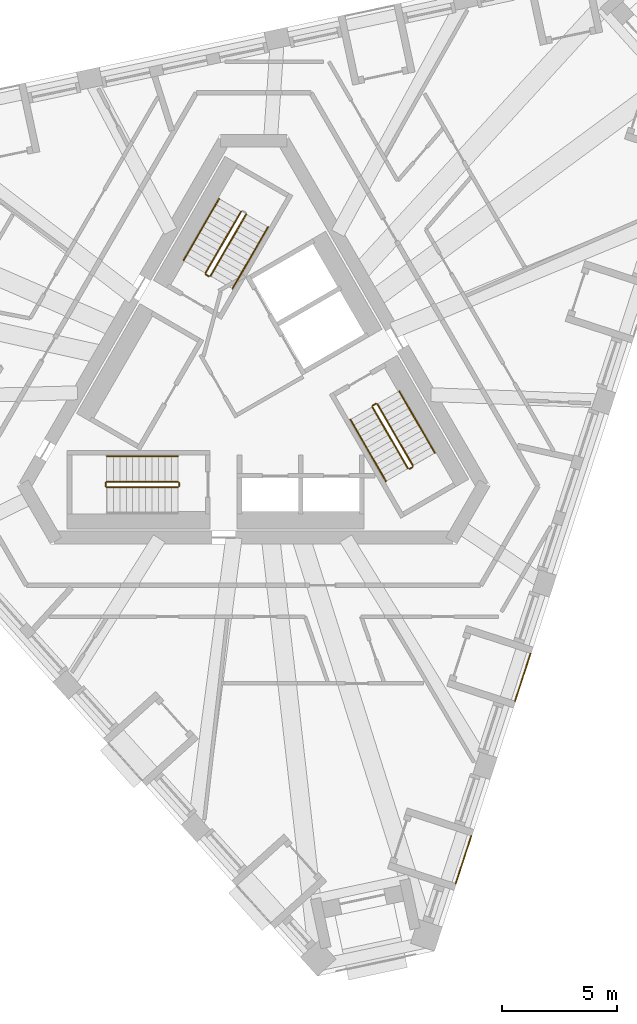
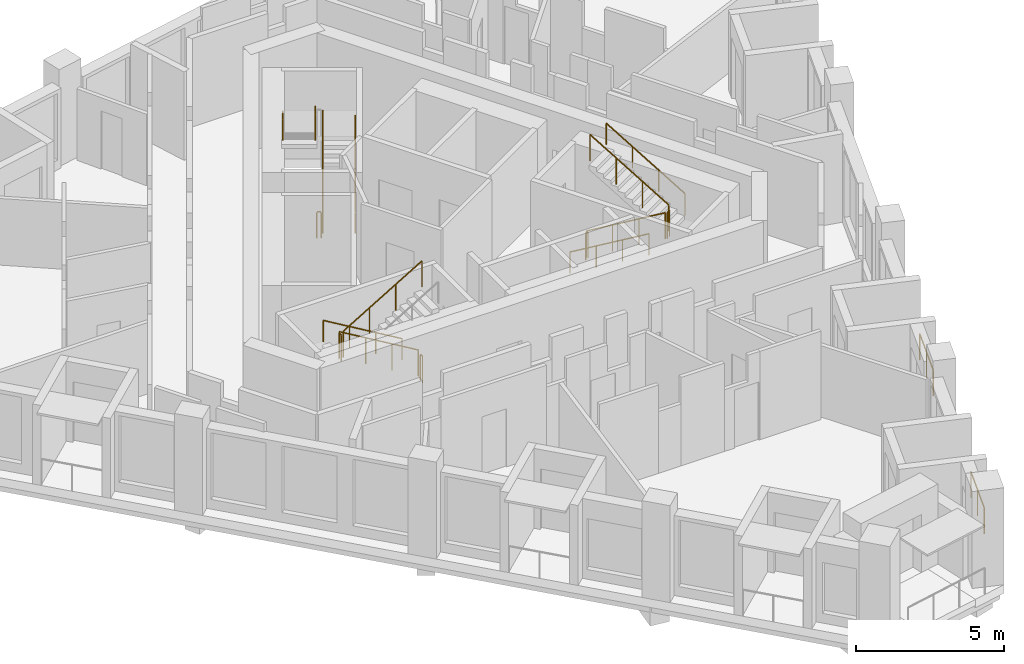
# One storey, part 11 of 13: 18 railings.
"""IFC4 building model written with IfcOpenShell, lengths in metres."""

from ifc_helpers import new_model, si_unit, direction, frame, origin, origin_2d, place, context, subcontext, project, spatial, circle, extrude, material, type_object, element, save


model = new_model("IFC4")

# Units and contexts
model_context = context("Model", 3, precision=1e-05, world=origin(), true_north=direction((0.0, 1.0)))
body_context = subcontext(model_context, "Body", "Model", "MODEL_VIEW")
ifc_project = project(units=[si_unit("LENGTHUNIT", "METRE"), si_unit("AREAUNIT", "SQUARE_METRE"), si_unit("VOLUMEUNIT", "CUBIC_METRE"), si_unit("PLANEANGLEUNIT", "RADIAN"), si_unit("MASSUNIT", "GRAM", prefix="KILO")], contexts=[model_context])

# Site, building, storey
site_placement = place(None, origin())
site = spatial("IfcSite", under=ifc_project, at=site_placement, CompositionType="ELEMENT")
building_placement = place(site_placement, origin())
building = spatial("IfcBuilding", under=site, at=building_placement, Name="Tramontana Tower", CompositionType="ELEMENT")
storey_placement = place(building_placement, frame((0.0, 0.0, 328.39990234375)))
storey = spatial("IfcBuildingStorey", under=building, at=storey_placement, Name="L75", CompositionType="ELEMENT", Elevation=328.39990234375)

# Railings
ifc_material_1 = material(Name="Laminated glass balustrade", Category="glass")
railing_type_1 = type_object("IfcRailingType", Name="GD1 Loggia glass balustrade 1100", PredefinedType="BALUSTRADE", material=ifc_material_1)
for number, where, name in (
    (1, (8.763671875, -21.472412109375, 0.0), "Loggia balustrade L75 G8S1.1"),
    (2, (11.332763671875, -13.5654296875, 0.0), "Loggia balustrade L75 G8S1.4"),
):
    element("IfcRailing", number, at=place(storey_placement, frame(where)), inside=storey, type_object=railing_type_1, Name=name, PredefinedType="BALUSTRADE", context=body_context, shape_type="SweptSolid", body=[
        extrude(circle(Radius=0.02392578125, at=origin_2d()), frame((0.0, 0.0, 1.076171875), z_axis=(0.308999623589, 0.95106216023, 0.0), x_axis=(-0.95106216023, 0.308999623589, 0.0)), (0.0, 0.0, 1.0), 2.171142578125),
        extrude(circle(Radius=0.02099609375, at=origin_2d()), origin(), (0.0, 0.0, 1.0), 1.052001953125),
        extrude(circle(Radius=0.02099609375, at=origin_2d()), frame((0.33544921875, 1.032470703125, 0.0)), (0.0, 0.0, 1.0), 1.052001953125),
        extrude(circle(Radius=0.02099609375, at=origin_2d()), frame((0.6708984375, 2.06494140625, 0.0)), (0.0, 0.0, 1.0), 1.052001953125),
    ])
ifc_material_2 = material(Name="Painted steel", Category="steel")
railing_type_2 = type_object("IfcRailingType", Name="STAIR GUARD 1100", PredefinedType="GUARDRAIL", material=ifc_material_2)
railing_1_placement = place(storey_placement, frame((-1.867431640625, 4.865478515625, 0.166748046875)))
element("IfcRailing", 3, at=railing_1_placement, inside=storey, type_object=railing_type_2, Name="L75 ST1 stair guard 1", PredefinedType="GUARDRAIL", context=body_context, shape_type="SweptSolid", body=[
    extrude(circle(Radius=0.02392578125, at=origin_2d()), frame((0.0, 0.0, 1.076171875), z_axis=(0.429649414936, 0.744189839504, 0.511451721109), x_axis=(-0.866029832698, 0.499992328818, 0.0)), (0.0, 0.0, 1.0), 3.58447265625),
    extrude(circle(Radius=0.02099609375, at=origin_2d()), origin(), (0.0, 0.0, 1.0), 1.052001953125),
    extrude(circle(Radius=0.02099609375, at=origin_2d()), frame((0.513427734375, 0.88916015625, 0.611083984375)), (0.0, 0.0, 1.0), 1.052001953125),
    extrude(circle(Radius=0.02099609375, at=origin_2d()), frame((1.026611328125, 1.7783203125, 1.22216796875)), (0.0, 0.0, 1.0), 1.052001953125),
    extrude(circle(Radius=0.02099609375, at=origin_2d()), frame((1.5400390625, 2.66748046875, 1.833251953125)), (0.0, 0.0, 1.0), 1.052001953125),
])
railing_2_placement = place(storey_placement, frame((-0.5439453125, 7.657958984375, 2.166748046875)))
element("IfcRailing", 4, at=railing_2_placement, inside=storey, type_object=railing_type_2, Name="L75 ST1 stair guard 2", PredefinedType="GUARDRAIL", context=body_context, shape_type="SweptSolid", body=[
    extrude(circle(Radius=0.02392578125, at=origin_2d()), frame((0.0, 0.0, 1.076171875), z_axis=(-0.429649414936, -0.744189839504, 0.511451721109), x_axis=(0.866029832698, -0.499992328818, 0.0)), (0.0, 0.0, 1.0), 3.58447265625),
    extrude(circle(Radius=0.02099609375, at=origin_2d()), origin(), (0.0, 0.0, 1.0), 1.052001953125),
    extrude(circle(Radius=0.02099609375, at=origin_2d()), frame((-0.513427734375, -0.88916015625, 0.611083984375)), (0.0, 0.0, 1.0), 1.052001953125),
    extrude(circle(Radius=0.02099609375, at=origin_2d()), frame((-1.026611328125, -1.7783203125, 1.22216796875)), (0.0, 0.0, 1.0), 1.052001953125),
    extrude(circle(Radius=0.02099609375, at=origin_2d()), frame((-1.5400390625, -2.66748046875, 1.833251953125)), (0.0, 0.0, 1.0), 1.052001953125),
])
railing_3_placement = place(storey_placement, frame((-1.935791015625, 4.84716796875, 0.0)))
element("IfcRailing", 5, at=railing_3_placement, inside=storey, type_object=railing_type_2, Name="L75 ST1 stair guard 4", PredefinedType="GUARDRAIL", context=body_context, shape_type="SweptSolid", body=[
    extrude(circle(Radius=0.02392578125, at=origin_2d()), frame((0.0, 0.0, 1.076171875), z_axis=(-0.865426285481, 0.501036270542, 0.0), x_axis=(-0.501036270542, -0.865426285481, 0.0)), (0.0, 0.0, 1.0), 0.150146484375),
    extrude(circle(Radius=0.02099609375, at=origin_2d()), origin(), (0.0, 0.0, 1.0), 1.052001953125),
    extrude(circle(Radius=0.02099609375, at=origin_2d()), frame((-0.1298828125, 0.0751953125, 0.0)), (0.0, 0.0, 1.0), 1.052001953125),
])
railing_4_placement = place(storey_placement, frame((-3.280029296875, -4.050048828125, 0.166748046875)))
element("IfcRailing", 6, at=railing_4_placement, inside=storey, type_object=railing_type_2, Name="L75 ST2 stair guard 1", PredefinedType="GUARDRAIL", context=body_context, shape_type="SweptSolid", body=[
    extrude(circle(Radius=0.02392578125, at=origin_2d()), frame((0.0, 0.0, 1.076171875), z_axis=(-0.859308565015, 0.0, 0.511457515432), x_axis=(0.0, -1.0, 0.0)), (0.0, 0.0, 1.0), 3.58447265625),
    extrude(circle(Radius=0.02099609375, at=origin_2d()), origin(), (0.0, 0.0, 1.0), 1.052001953125),
    extrude(circle(Radius=0.02099609375, at=origin_2d()), frame((-1.026611328125, 0.0, 0.611083984375)), (0.0, 0.0, 1.0), 1.052001953125),
    extrude(circle(Radius=0.02099609375, at=origin_2d()), frame((-2.053466796875, 0.0, 1.22216796875)), (0.0, 0.0, 1.0), 1.052001953125),
    extrude(circle(Radius=0.02099609375, at=origin_2d()), frame((-3.080078125, 0.0, 1.833251953125)), (0.0, 0.0, 1.0), 1.052001953125),
])
railing_5_placement = place(storey_placement, frame((-6.360107421875, -4.300048828125, 2.166748046875)))
element("IfcRailing", 7, at=railing_5_placement, inside=storey, type_object=railing_type_2, Name="L75 ST2 stair guard 2", PredefinedType="GUARDRAIL", context=body_context, shape_type="SweptSolid", body=[
    extrude(circle(Radius=0.02392578125, at=origin_2d()), frame((0.0, 0.0, 1.076171875), z_axis=(0.859308565015, 0.0, 0.511457515432), x_axis=(0.0, 1.0, 0.0)), (0.0, 0.0, 1.0), 3.58447265625),
    extrude(circle(Radius=0.02099609375, at=origin_2d()), origin(), (0.0, 0.0, 1.0), 1.052001953125),
    extrude(circle(Radius=0.02099609375, at=origin_2d()), frame((1.026611328125, 0.0, 0.611083984375)), (0.0, 0.0, 1.0), 1.052001953125),
    extrude(circle(Radius=0.02099609375, at=origin_2d()), frame((2.053466796875, 0.0, 1.22216796875)), (0.0, 0.0, 1.0), 1.052001953125),
    extrude(circle(Radius=0.02099609375, at=origin_2d()), frame((3.080078125, 0.0, 1.833251953125)), (0.0, 0.0, 1.0), 1.052001953125),
])
for number, where, name in (
    (8, (-6.409912109375, -4.10009765625, 2.0), "L75 ST2 stair guard 3"),
    (9, (-3.22998046875, -4.10009765625, 0.0), "L75 ST2 stair guard 4"),
):
    element("IfcRailing", number, at=place(storey_placement, frame(where)), inside=storey, type_object=railing_type_2, Name=name, PredefinedType="GUARDRAIL", context=body_context, shape_type="SweptSolid", body=[
        extrude(circle(Radius=0.02392578125, at=origin_2d()), frame((0.0, 0.0, 1.076171875), z_axis=(0.0, -1.0, 0.0), x_axis=(1.0, 0.0, 0.0)), (0.0, 0.0, 1.0), 0.14990234375),
        extrude(circle(Radius=0.02099609375, at=origin_2d()), origin(), (0.0, 0.0, 1.0), 1.052001953125),
        extrude(circle(Radius=0.02099609375, at=origin_2d()), frame((0.0, -0.14990234375, 0.0)), (0.0, 0.0, 1.0), 1.052001953125),
    ])
railing_6_placement = place(storey_placement, frame((5.1474609375, -0.815673828125, 0.166748046875)))
element("IfcRailing", 10, at=railing_6_placement, inside=storey, type_object=railing_type_2, Name="L75 ST3 stair guard 1", PredefinedType="GUARDRAIL", context=body_context, shape_type="SweptSolid", body=[
    extrude(circle(Radius=0.02392578125, at=origin_2d()), frame((0.0, 0.0, 1.076171875), z_axis=(0.429671193721, -0.744159446956, 0.511477646425), x_axis=(0.866010015463, 0.500026652407, 0.0)), (0.0, 0.0, 1.0), 3.584228515625),
    extrude(circle(Radius=0.02099609375, at=origin_2d()), origin(), (0.0, 0.0, 1.0), 1.052001953125),
    extrude(circle(Radius=0.02099609375, at=origin_2d()), frame((0.513427734375, -0.88916015625, 0.611083984375)), (0.0, 0.0, 1.0), 1.052001953125),
    extrude(circle(Radius=0.02099609375, at=origin_2d()), frame((1.026611328125, -1.778076171875, 1.22216796875)), (0.0, 0.0, 1.0), 1.052001953125),
    extrude(circle(Radius=0.02099609375, at=origin_2d()), frame((1.5400390625, -2.667236328125, 1.833251953125)), (0.0, 0.0, 1.0), 1.052001953125),
])
railing_7_placement = place(storey_placement, frame((6.90380859375, -3.35791015625, 2.166748046875)))
element("IfcRailing", 11, at=railing_7_placement, inside=storey, type_object=railing_type_2, Name="L75 ST3 stair guard 2", PredefinedType="GUARDRAIL", context=body_context, shape_type="SweptSolid", body=[
    extrude(circle(Radius=0.02392578125, at=origin_2d()), frame((0.0, 0.0, 1.076171875), z_axis=(-0.429615651263, 0.74418122563, 0.511492615401), x_axis=(-0.866044340336, -0.499967199496, 0.0)), (0.0, 0.0, 1.0), 3.584228515625),
    extrude(circle(Radius=0.02099609375, at=origin_2d()), origin(), (0.0, 0.0, 1.0), 1.052001953125),
    extrude(circle(Radius=0.02099609375, at=origin_2d()), frame((-0.51318359375, 0.88916015625, 0.611083984375)), (0.0, 0.0, 1.0), 1.052001953125),
    extrude(circle(Radius=0.02099609375, at=origin_2d()), frame((-1.026611328125, 1.778076171875, 1.22216796875)), (0.0, 0.0, 1.0), 1.052001953125),
    extrude(circle(Radius=0.02099609375, at=origin_2d()), frame((-1.539794921875, 2.667236328125, 1.833251953125)), (0.0, 0.0, 1.0), 1.052001953125),
])
for number, where, name in (
    (12, (6.755615234375, -3.501220703125, 2.0), "L75 ST3 stair guard 3"),
    (13, (5.165771484375, -0.747314453125, 0.0), "L75 ST3 stair guard 4"),
):
    element("IfcRailing", number, at=place(storey_placement, frame(where)), inside=storey, type_object=railing_type_2, Name=name, PredefinedType="GUARDRAIL", context=body_context, shape_type="SweptSolid", body=[
        extrude(circle(Radius=0.02392578125, at=origin_2d()), frame((0.0, 0.0, 1.076171875), z_axis=(0.866131372301, 0.499816412211, 0.0), x_axis=(-0.499816412211, 0.866131372301, 0.0)), (0.0, 0.0, 1.0), 0.14990234375),
        extrude(circle(Radius=0.02099609375, at=origin_2d()), origin(), (0.0, 0.0, 1.0), 1.052001953125),
        extrude(circle(Radius=0.02099609375, at=origin_2d()), frame((0.1298828125, 0.074951171875, 0.0)), (0.0, 0.0, 1.0), 1.052001953125),
    ])
ifc_material_3 = material(Name="Painted steel", Category="steel")
railing_type_3 = type_object("IfcRailingType", Name="STAIR HANDRAIL 900", PredefinedType="HANDRAIL", material=ifc_material_3)
railing_8_placement = place(storey_placement, frame((-0.914794921875, 4.315673828125, 0.166748046875)))
element("IfcRailing", 14, at=railing_8_placement, inside=storey, type_object=railing_type_3, Name="L75 ST1 stair handrail 1", PredefinedType="HANDRAIL", context=body_context, shape_type="SweptSolid", body=[
    extrude(circle(Radius=0.02392578125, at=origin_2d()), frame((0.0, 0.0, 0.8759765625), z_axis=(0.429671193721, 0.744159446956, 0.511477646425), x_axis=(-0.866010015463, 0.500026652407, 0.0)), (0.0, 0.0, 1.0), 3.584228515625),
    extrude(circle(Radius=0.02099609375, at=origin_2d()), origin(), (0.0, 0.0, 1.0), 0.851806640625),
    extrude(circle(Radius=0.02099609375, at=origin_2d()), frame((0.513427734375, 0.88916015625, 0.611083984375)), (0.0, 0.0, 1.0), 0.851806640625),
    extrude(circle(Radius=0.02099609375, at=origin_2d()), frame((1.026611328125, 1.778076171875, 1.22216796875)), (0.0, 0.0, 1.0), 0.851806640625),
    extrude(circle(Radius=0.02099609375, at=origin_2d()), frame((1.5400390625, 2.667236328125, 1.833251953125)), (0.0, 0.0, 1.0), 0.851806640625),
])
railing_9_placement = place(storey_placement, frame((-1.49658203125, 8.2080078125, 2.166748046875)))
element("IfcRailing", 15, at=railing_9_placement, inside=storey, type_object=railing_type_3, Name="L75 ST1 stair handrail 2", PredefinedType="HANDRAIL", context=body_context, shape_type="SweptSolid", body=[
    extrude(circle(Radius=0.02392578125, at=origin_2d()), frame((0.0, 0.0, 0.8759765625), z_axis=(-0.429649414936, -0.744189839504, 0.511451721109), x_axis=(0.866029832698, -0.499992328818, 0.0)), (0.0, 0.0, 1.0), 3.58447265625),
    extrude(circle(Radius=0.02099609375, at=origin_2d()), origin(), (0.0, 0.0, 1.0), 0.851806640625),
    extrude(circle(Radius=0.02099609375, at=origin_2d()), frame((-0.513427734375, -0.88916015625, 0.611083984375)), (0.0, 0.0, 1.0), 0.851806640625),
    extrude(circle(Radius=0.02099609375, at=origin_2d()), frame((-1.026611328125, -1.7783203125, 1.22216796875)), (0.0, 0.0, 1.0), 0.851806640625),
    extrude(circle(Radius=0.02099609375, at=origin_2d()), frame((-1.5400390625, -2.66748046875, 1.833251953125)), (0.0, 0.0, 1.0), 0.851806640625),
])
railing_10_placement = place(storey_placement, frame((-3.280029296875, -2.949951171875, 0.166748046875)))
element("IfcRailing", 16, at=railing_10_placement, inside=storey, type_object=railing_type_3, Name="L75 ST2 stair handrail 1", PredefinedType="HANDRAIL", context=body_context, shape_type="SweptSolid", body=[
    extrude(circle(Radius=0.02392578125, at=origin_2d()), frame((0.0, 0.0, 0.8759765625), z_axis=(-0.859308565015, 0.0, 0.511457515432), x_axis=(0.0, -1.0, 0.0)), (0.0, 0.0, 1.0), 3.58447265625),
    extrude(circle(Radius=0.02099609375, at=origin_2d()), origin(), (0.0, 0.0, 1.0), 0.851806640625),
    extrude(circle(Radius=0.02099609375, at=origin_2d()), frame((-1.026611328125, 0.0, 0.611083984375)), (0.0, 0.0, 1.0), 0.851806640625),
    extrude(circle(Radius=0.02099609375, at=origin_2d()), frame((-2.053466796875, 0.0, 1.22216796875)), (0.0, 0.0, 1.0), 0.851806640625),
    extrude(circle(Radius=0.02099609375, at=origin_2d()), frame((-3.080078125, 0.0, 1.833251953125)), (0.0, 0.0, 1.0), 0.851806640625),
])
railing_11_placement = place(storey_placement, frame((4.19482421875, -1.365478515625, 0.166748046875)))
element("IfcRailing", 17, at=railing_11_placement, inside=storey, type_object=railing_type_3, Name="L75 ST3 stair handrail 1", PredefinedType="HANDRAIL", context=body_context, shape_type="SweptSolid", body=[
    extrude(circle(Radius=0.02392578125, at=origin_2d()), frame((0.0, 0.0, 0.8759765625), z_axis=(0.429649414936, -0.744189839504, 0.511451721109), x_axis=(0.866029832698, 0.499992328818, 0.0)), (0.0, 0.0, 1.0), 3.58447265625),
    extrude(circle(Radius=0.02099609375, at=origin_2d()), origin(), (0.0, 0.0, 1.0), 0.851806640625),
    extrude(circle(Radius=0.02099609375, at=origin_2d()), frame((0.513427734375, -0.88916015625, 0.611083984375)), (0.0, 0.0, 1.0), 0.851806640625),
    extrude(circle(Radius=0.02099609375, at=origin_2d()), frame((1.026611328125, -1.7783203125, 1.22216796875)), (0.0, 0.0, 1.0), 0.851806640625),
    extrude(circle(Radius=0.02099609375, at=origin_2d()), frame((1.5400390625, -2.66748046875, 1.833251953125)), (0.0, 0.0, 1.0), 0.851806640625),
])
railing_12_placement = place(storey_placement, frame((7.8564453125, -2.807861328125, 2.166748046875)))
element("IfcRailing", 18, at=railing_12_placement, inside=storey, type_object=railing_type_3, Name="L75 ST3 stair handrail 2", PredefinedType="HANDRAIL", context=body_context, shape_type="SweptSolid", body=[
    extrude(circle(Radius=0.02392578125, at=origin_2d()), frame((0.0, 0.0, 0.8759765625), z_axis=(-0.429615651263, 0.74418122563, 0.511492615401), x_axis=(-0.866044340336, -0.499967199496, 0.0)), (0.0, 0.0, 1.0), 3.584228515625),
    extrude(circle(Radius=0.02099609375, at=origin_2d()), origin(), (0.0, 0.0, 1.0), 0.851806640625),
    extrude(circle(Radius=0.02099609375, at=origin_2d()), frame((-0.51318359375, 0.88916015625, 0.611083984375)), (0.0, 0.0, 1.0), 0.851806640625),
    extrude(circle(Radius=0.02099609375, at=origin_2d()), frame((-1.026611328125, 1.778076171875, 1.22216796875)), (0.0, 0.0, 1.0), 0.851806640625),
    extrude(circle(Radius=0.02099609375, at=origin_2d()), frame((-1.539794921875, 2.667236328125, 1.833251953125)), (0.0, 0.0, 1.0), 0.851806640625),
])

save(model, "model.ifc")
